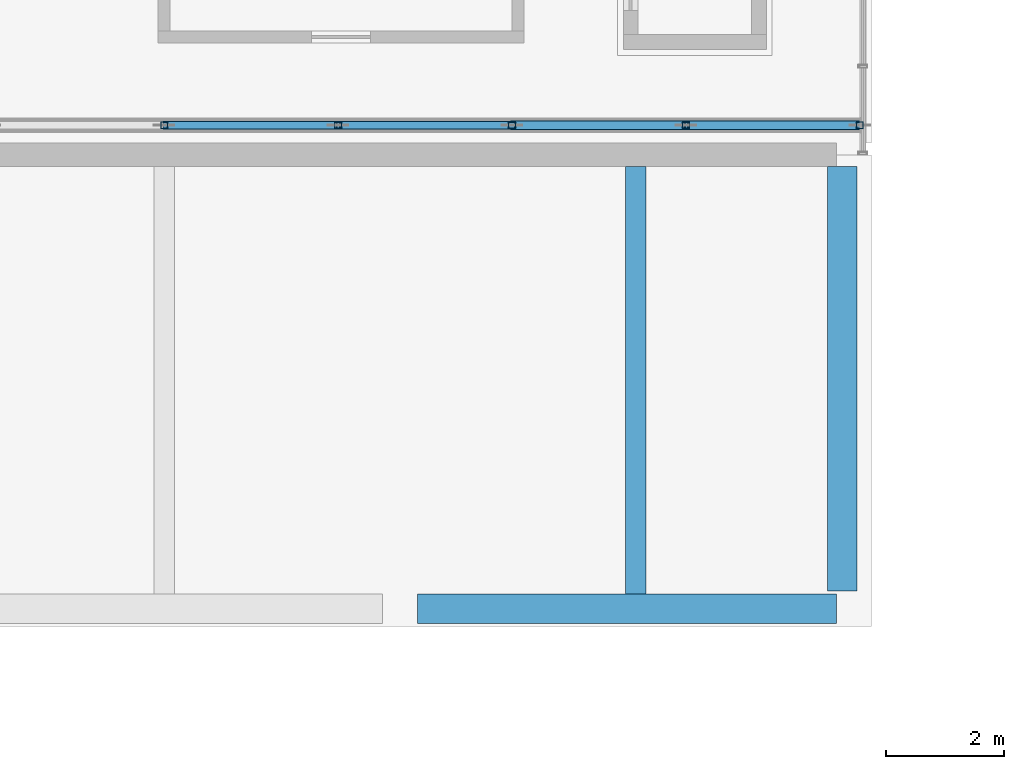
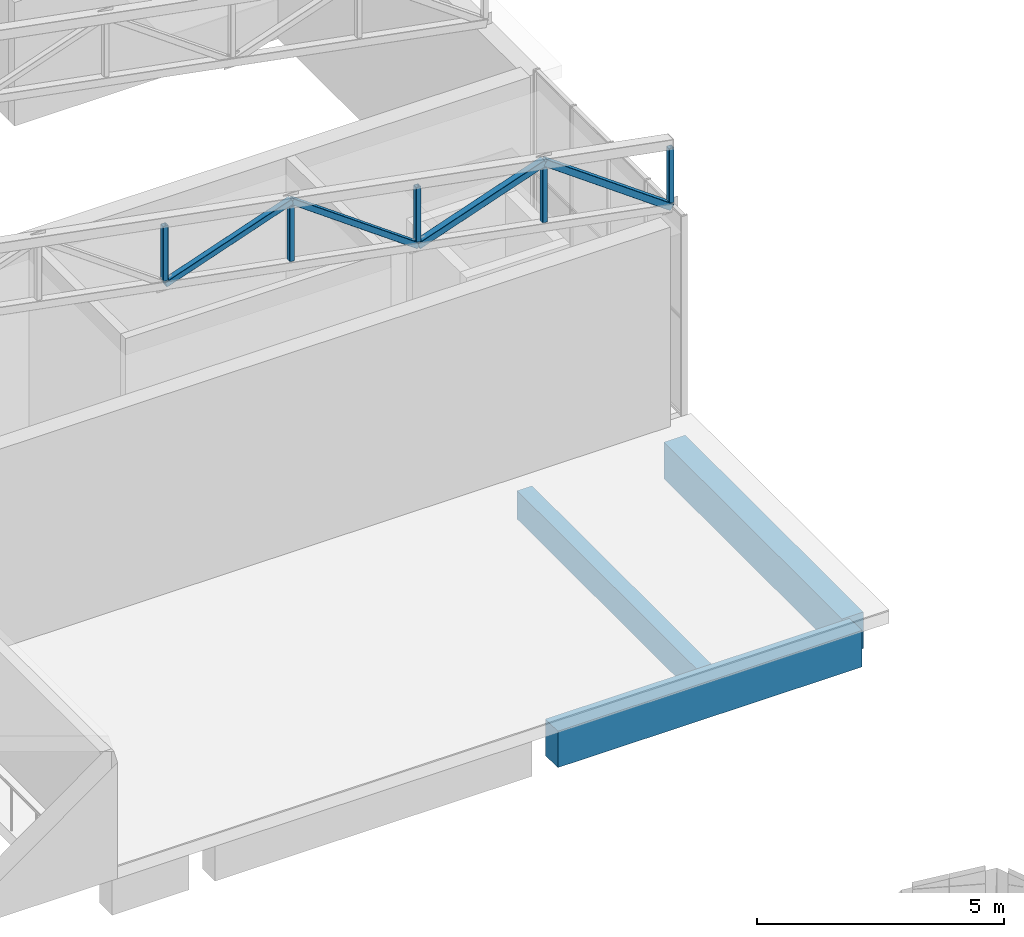
# One storey, part 10 of 125: 9 members, 3 beams.
"""IFC4 building model written with IfcOpenShell, lengths in metres."""

from ifc_helpers import new_model, si_unit, direction, frame, origin, origin_2d, place, context, subcontext, project, spatial, rectangle, hollow_rectangle, extrude, material, material_profile, profile_set, type_object, element, save


model = new_model("IFC4")

# Units and contexts
model_context = context("Model", 3, precision=1e-05, world=origin(), true_north=direction((0.0, 1.0)))
body_context = subcontext(model_context, "Body", "Model", "MODEL_VIEW")
ifc_project = project(units=[si_unit("LENGTHUNIT", "METRE"), si_unit("AREAUNIT", "SQUARE_METRE"), si_unit("VOLUMEUNIT", "CUBIC_METRE"), si_unit("PLANEANGLEUNIT", "RADIAN"), si_unit("MASSUNIT", "GRAM", prefix="KILO")], contexts=[model_context])

# Site, building, storey
site_placement = place(None, origin())
site = spatial("IfcSite", under=ifc_project, at=site_placement, CompositionType="ELEMENT")
building_placement = place(site_placement, origin())
building = spatial("IfcBuilding", under=site, at=building_placement, Name="Sun Court Science Centre", CompositionType="ELEMENT")
storey_placement = place(building_placement, frame((0.0, 0.0, 6.0)))
storey = spatial("IfcBuildingStorey", under=building, at=storey_placement, Name="L01", CompositionType="ELEMENT", Elevation=6.0)

# Beams
ifc_material_1 = material(Name="Concrete C25/30", Category="concrete")
ifc_material_profile_1 = material_profile(ifc_material_1, rectangle(XDim=0.5, YDim=0.89990234375, at=origin_2d()), Name="RC 500x900")
ifc_profile_set_1 = profile_set([ifc_material_profile_1], Name="Concrete C25/30")
beam_type_1 = type_object("IfcBeamType", Name="RC girder 500x900", PredefinedType="BEAM", material=ifc_profile_set_1)
beam_1_placement = place(storey_placement, frame((16.300048828125, 40.300048828125, -0.75), z_axis=(1.0, 0.0, 0.0), x_axis=(0.0, 1.0, 0.0)))
element("IfcBeam", 1, at=beam_1_placement, inside=storey, type_object=beam_type_1, Name="Foyer roof edge beam", PredefinedType="BEAM", context=body_context, shape_type="SweptSolid", body=[
    extrude(rectangle(XDim=0.5, YDim=0.89990234375, at=origin_2d()), origin(), (0.0, 0.0, 1.0), 7.099853515625),
])
beam_2_placement = place(storey_placement, frame((23.5, 40.60009765625, -0.75), z_axis=(0.0, 1.0, 0.0), x_axis=(-1.0, 0.0, 0.0)))
element("IfcBeam", 2, at=beam_2_placement, inside=storey, type_object=beam_type_1, Name="Foyer roof east beam", PredefinedType="BEAM", context=body_context, shape_type="SweptSolid", body=[
    extrude(rectangle(XDim=0.5, YDim=0.89990234375, at=origin_2d()), origin(), (0.0, 0.0, 1.0), 7.199951171875),
])
ifc_material_2 = material(Name="Concrete C25/30", Category="concrete")
ifc_material_profile_2 = material_profile(ifc_material_2, rectangle(XDim=0.35009765625, YDim=0.699951171875, at=origin_2d()), Name="RC 350x700")
ifc_profile_set_2 = profile_set([ifc_material_profile_2], Name="Concrete C25/30")
beam_type_2 = type_object("IfcBeamType", Name="RC joist 350x700", PredefinedType="JOIST", material=ifc_profile_set_2)
beam_3_placement = place(storey_placement, frame((20.0, 40.550048828125, -0.64990234375), z_axis=(0.0, 1.0, 0.0), x_axis=(-1.0, 0.0, 0.0)))
element("IfcBeam", 3, at=beam_3_placement, inside=storey, type_object=beam_type_2, Name="Foyer roof joist", PredefinedType="JOIST", context=body_context, shape_type="SweptSolid", body=[
    extrude(rectangle(XDim=0.35009765625, YDim=0.699951171875, at=origin_2d()), origin(), (0.0, 0.0, 1.0), 7.25),
])

# Members
ifc_material_3 = material(Name="Steel S355", Category="steel")
ifc_material_profile_3 = material_profile(ifc_material_3, hollow_rectangle(XDim=0.139892578125, YDim=0.139892578125, WallThickness=0.008056640625, InnerFilletRadius=0.008056640625, OuterFilletRadius=0.011962890625, at=origin_2d()), Name="SHS 140x140x8")
ifc_profile_set_3 = profile_set([ifc_material_profile_3], Name="Steel S355")
member_type_1 = type_object("IfcMemberType", Name="Truss diagonal SHS 140x140x8", PredefinedType="BRACE", material=ifc_profile_set_3)
member_1_placement = place(storey_placement, frame((12.0, 48.5, 7.1298828125), z_axis=(0.944903296783, 0.0, 0.327349598637), x_axis=(0.0, 1.0, 0.0)))
element("IfcMember", 4, at=member_1_placement, inside=storey, type_object=member_type_1, Name="Roof truss 1 diagonal 5", PredefinedType="BRACE", context=body_context, shape_type="SweptSolid", body=[
    extrude(hollow_rectangle(XDim=0.139892578125, YDim=0.139892578125, WallThickness=0.008056640625, InnerFilletRadius=0.008056640625, OuterFilletRadius=0.011962890625, at=origin_2d()), origin(), (0.0, 0.0, 1.0), 3.1220703125),
])
member_2_placement = place(storey_placement, frame((14.949951171875, 48.5, 8.15185546875), z_axis=(0.810985300315, 0.0, -0.585066528416), x_axis=(0.0, 1.0, 0.0)))
element("IfcMember", 5, at=member_2_placement, inside=storey, type_object=member_type_1, Name="Roof truss 1 diagonal 6", PredefinedType="BRACE", context=body_context, shape_type="SweptSolid", body=[
    extrude(hollow_rectangle(XDim=0.139892578125, YDim=0.139892578125, WallThickness=0.008056640625, InnerFilletRadius=0.008056640625, OuterFilletRadius=0.011962890625, at=origin_2d()), origin(), (0.0, 0.0, 1.0), 3.637451171875),
])
ifc_material_4 = material(Name="Steel S355", Category="steel")
ifc_material_profile_4 = material_profile(ifc_material_4, hollow_rectangle(XDim=0.159912109375, YDim=0.159912109375, WallThickness=0.008056640625, InnerFilletRadius=0.008056640625, OuterFilletRadius=0.011962890625, at=origin_2d()), Name="SHS 160x160x8")
ifc_profile_set_4 = profile_set([ifc_material_profile_4], Name="Steel S355")
member_type_2 = type_object("IfcMemberType", Name="Truss diagonal SHS 160x160x8", PredefinedType="BRACE", material=ifc_profile_set_4)
member_3_placement = place(storey_placement, frame((17.89990234375, 48.5, 6.023681640625), z_axis=(0.944911675704, 0.0, 0.32732541166), x_axis=(0.0, 1.0, 0.0)))
element("IfcMember", 6, at=member_3_placement, inside=storey, type_object=member_type_2, Name="Roof truss 1 diagonal 7", PredefinedType="BRACE", context=body_context, shape_type="SweptSolid", body=[
    extrude(hollow_rectangle(XDim=0.159912109375, YDim=0.159912109375, WallThickness=0.008056640625, InnerFilletRadius=0.008056640625, OuterFilletRadius=0.011962890625, at=origin_2d()), origin(), (0.0, 0.0, 1.0), 3.1220703125),
])
member_4_placement = place(storey_placement, frame((20.85009765625, 48.5, 7.045654296875), z_axis=(0.810985300315, 0.0, -0.585066528416), x_axis=(0.0, 1.0, 0.0)))
element("IfcMember", 7, at=member_4_placement, inside=storey, type_object=member_type_2, Name="Roof truss 1 diagonal 8", PredefinedType="BRACE", context=body_context, shape_type="SweptSolid", body=[
    extrude(hollow_rectangle(XDim=0.159912109375, YDim=0.159912109375, WallThickness=0.008056640625, InnerFilletRadius=0.008056640625, OuterFilletRadius=0.011962890625, at=origin_2d()), origin(), (0.0, 0.0, 1.0), 3.637451171875),
])
ifc_material_5 = material(Name="Steel S355", Category="steel")
ifc_material_profile_5 = material_profile(ifc_material_5, hollow_rectangle(XDim=0.1201171875, YDim=0.1201171875, WallThickness=0.008056640625, InnerFilletRadius=0.008056640625, OuterFilletRadius=0.011962890625, at=origin_2d()), Name="SHS 120x120x8")
ifc_profile_set_5 = profile_set([ifc_material_profile_5], Name="Steel S355")
member_type_3 = type_object("IfcMemberType", Name="Truss post SHS 120x120x8", PredefinedType="POST", material=ifc_profile_set_5)
for number, where, z_axis, x_axis, name in (
    (8, (12.0, 48.5, 7.22998046875), (0.0, 0.0, 1.0), (1.0, 0.0, 0.0), "Roof truss 1 post 5"),
    (9, (14.949951171875, 48.5, 6.6767578125), (0.0, 0.0, 1.0), (1.0, 0.0, 0.0), "Roof truss 1 post 6"),
):
    element("IfcMember", number, at=place(storey_placement, frame(where, z_axis=z_axis, x_axis=x_axis)), inside=storey, type_object=member_type_3, Name=name, PredefinedType="POST", context=body_context, shape_type="SweptSolid", body=[
        extrude(hollow_rectangle(XDim=0.1201171875, YDim=0.1201171875, WallThickness=0.008056640625, InnerFilletRadius=0.008056640625, OuterFilletRadius=0.011962890625, at=origin_2d()), origin(), (0.0, 0.0, 1.0), 1.35009765625),
    ])
member_5_placement = place(storey_placement, frame((17.89990234375, 48.5, 6.123779296875), z_axis=(0.0, 0.0, 1.0), x_axis=(1.0, 0.0, 0.0)))
element("IfcMember", 10, at=member_5_placement, inside=storey, type_object=member_type_3, Name="Roof truss 1 post 7", PredefinedType="POST", context=body_context, shape_type="SweptSolid", body=[
    extrude(hollow_rectangle(XDim=0.1201171875, YDim=0.1201171875, WallThickness=0.008056640625, InnerFilletRadius=0.008056640625, OuterFilletRadius=0.011962890625, at=origin_2d()), origin(), (0.0, 0.0, 1.0), 1.349853515625),
])
member_6_placement = place(storey_placement, frame((20.85009765625, 48.5, 5.570556640625), z_axis=(0.0, 0.0, 1.0), x_axis=(1.0, 0.0, 0.0)))
element("IfcMember", 11, at=member_6_placement, inside=storey, type_object=member_type_3, Name="Roof truss 1 post 8", PredefinedType="POST", context=body_context, shape_type="SweptSolid", body=[
    extrude(hollow_rectangle(XDim=0.1201171875, YDim=0.1201171875, WallThickness=0.008056640625, InnerFilletRadius=0.008056640625, OuterFilletRadius=0.011962890625, at=origin_2d()), origin(), (0.0, 0.0, 1.0), 1.35009765625),
])
member_7_placement = place(storey_placement, frame((23.800048828125, 48.5, 5.017578125), z_axis=(0.0, 0.0, 1.0), x_axis=(1.0, 0.0, 0.0)))
element("IfcMember", 12, at=member_7_placement, inside=storey, type_object=member_type_3, Name="Roof truss 1 post 9", PredefinedType="POST", context=body_context, shape_type="SweptSolid", body=[
    extrude(hollow_rectangle(XDim=0.1201171875, YDim=0.1201171875, WallThickness=0.008056640625, InnerFilletRadius=0.008056640625, OuterFilletRadius=0.011962890625, at=origin_2d()), origin(), (0.0, 0.0, 1.0), 1.349853515625),
])

save(model, "model.ifc")
